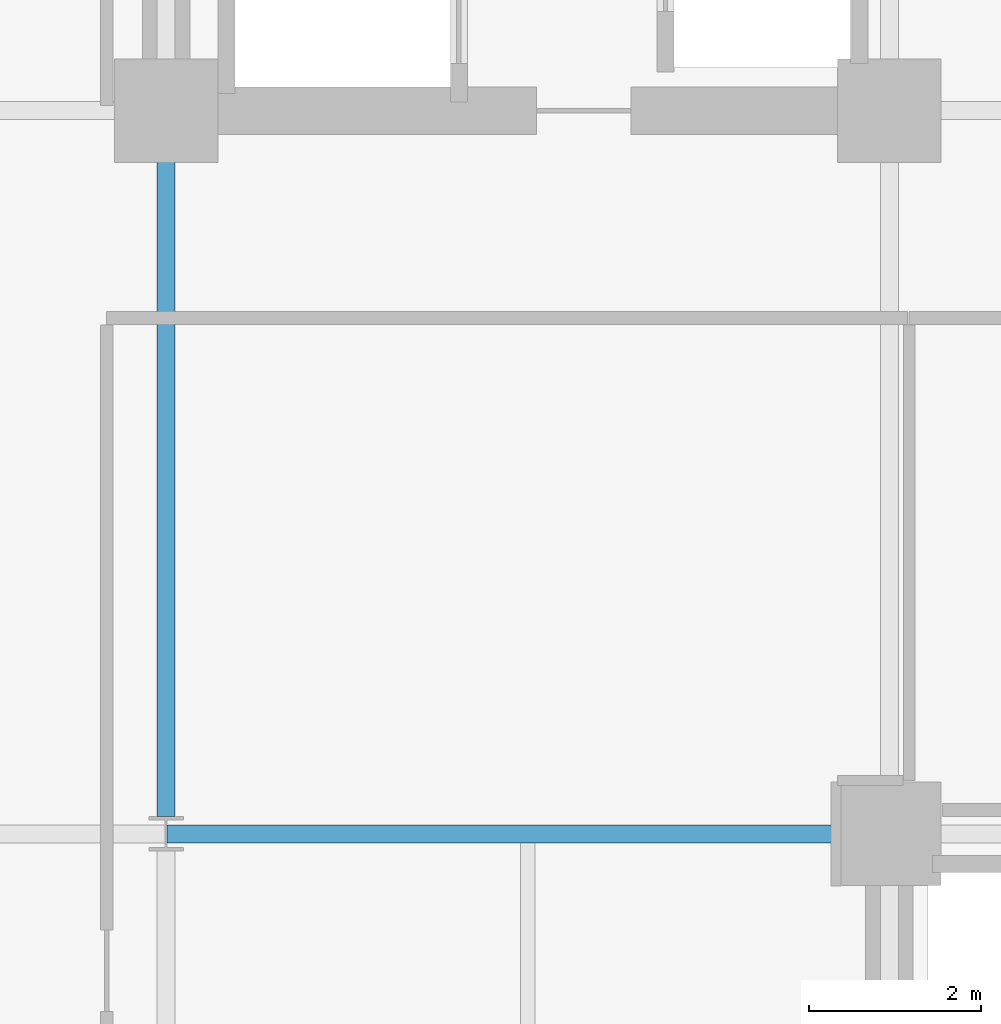
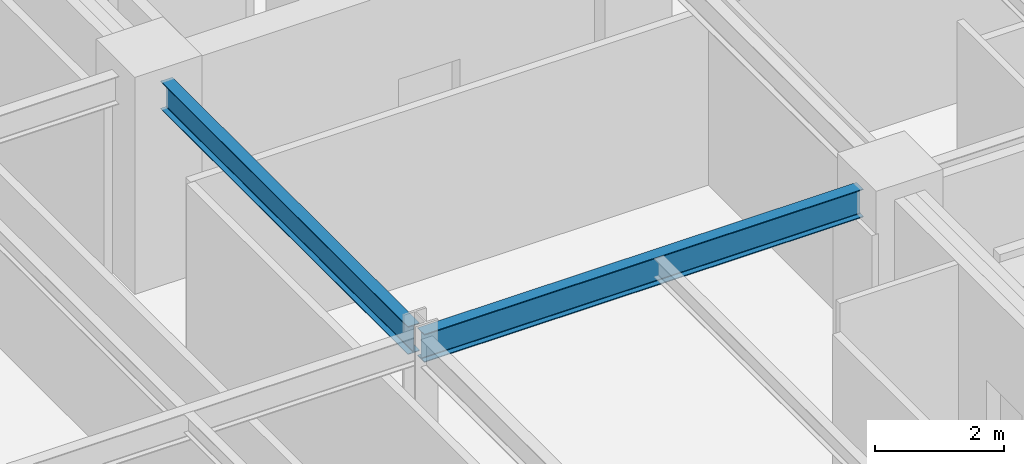
# One storey, part 12 of 38: 2 beams.
"""IFC4 building model written with IfcOpenShell, lengths in metres."""

from ifc_helpers import new_model, si_unit, direction, frame, origin, origin_2d, place, context, subcontext, project, spatial, i_section, extrude, material, material_profile, profile_set, type_object, element, save


model = new_model("IFC4")

# Units and contexts
model_context = context("Model", 3, precision=1e-05, world=origin(), true_north=direction((0.0, 1.0)))
body_context = subcontext(model_context, "Body", "Model", "MODEL_VIEW")
ifc_project = project(units=[si_unit("LENGTHUNIT", "METRE"), si_unit("AREAUNIT", "SQUARE_METRE"), si_unit("VOLUMEUNIT", "CUBIC_METRE"), si_unit("PLANEANGLEUNIT", "RADIAN"), si_unit("MASSUNIT", "GRAM", prefix="KILO")], contexts=[model_context])

# Site, building, storey
site_placement = place(None, origin())
site = spatial("IfcSite", under=ifc_project, at=site_placement, CompositionType="ELEMENT")
building_placement = place(site_placement, origin())
building = spatial("IfcBuilding", under=site, at=building_placement, Name="Nerrivon Quay Data Exchange", CompositionType="ELEMENT")
storey_placement = place(building_placement, frame((0.0, 0.0, 88.5)))
storey = spatial("IfcBuildingStorey", under=building, at=storey_placement, Name="L20", CompositionType="ELEMENT", Elevation=88.5)

# Beams
ifc_material = material(Name="Steel Grade 350", Category="steel")
ifc_material_profile_1 = material_profile(ifc_material, i_section(OverallWidth=0.208984375, OverallDepth=0.532958984375, WebThickness=0.01025390625, FlangeThickness=0.015625, FilletRadius=0.013916015625, at=origin_2d()), Name="530UB92.4")
ifc_profile_set_1 = profile_set([ifc_material_profile_1], Name="Steel Grade 350")
beam_type_1 = type_object("IfcBeamType", Name="BM-G3-530UB92", PredefinedType="BEAM", material=ifc_profile_set_1)
beam_1_placement = place(storey_placement, frame((8.41259765625, 16.800048828125, 3.55859375), z_axis=(1.0, 0.0, 0.0), x_axis=(0.0, 1.0, 0.0)))
element("IfcBeam", 1, at=beam_1_placement, inside=storey, type_object=beam_type_1, Name="L20 EW Girder Y=16.8 (8.4..16.8)", PredefinedType="BEAM", context=body_context, shape_type="SweptSolid", body=[
    extrude(i_section(OverallWidth=0.208984375, OverallDepth=0.532958984375, WebThickness=0.01025390625, FlangeThickness=0.015625, FilletRadius=0.013916015625, at=origin_2d()), origin(), (0.0, 0.0, 1.0), 7.847412109375),
])
ifc_material_profile_2 = material_profile(ifc_material, i_section(OverallWidth=0.208984375, OverallDepth=0.528076171875, WebThickness=0.009521484375, FlangeThickness=0.01318359375, FilletRadius=0.013916015625, at=origin_2d()), Name="530UB82.0")
ifc_profile_set_2 = profile_set([ifc_material_profile_2], Name="Steel Grade 350")
beam_type_2 = type_object("IfcBeamType", Name="BM-G4-530UB82", PredefinedType="BEAM", material=ifc_profile_set_2)
beam_2_placement = place(storey_placement, frame((8.39990234375, 17.0, 3.56103515625), z_axis=(0.0, 1.0, 0.0), x_axis=(-1.0, 0.0, 0.0)))
element("IfcBeam", 2, at=beam_2_placement, inside=storey, type_object=beam_type_2, Name="L20 NS Girder X=8.4 (16.8..25.2)", PredefinedType="BEAM", context=body_context, shape_type="SweptSolid", body=[
    extrude(i_section(OverallWidth=0.208984375, OverallDepth=0.528076171875, WebThickness=0.009521484375, FlangeThickness=0.01318359375, FilletRadius=0.013916015625, at=origin_2d()), origin(), (0.0, 0.0, 1.0), 7.659912109375),
])

save(model, "model.ifc")
